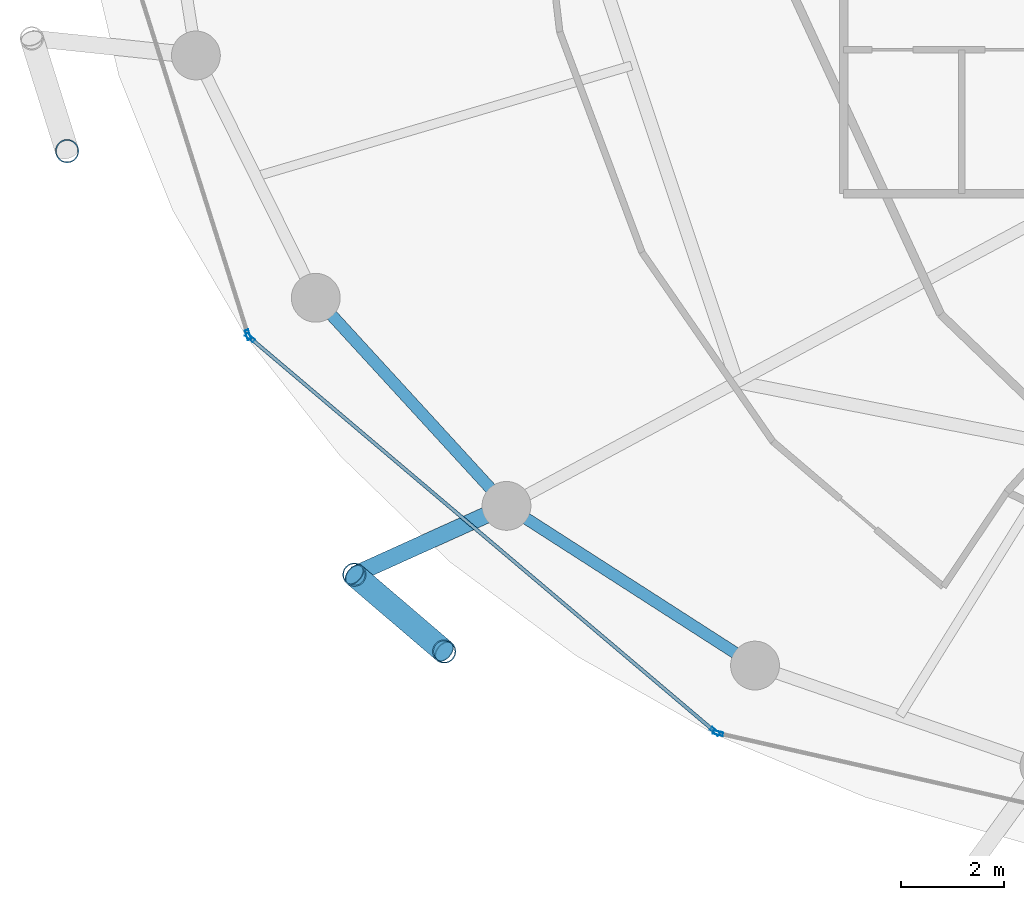
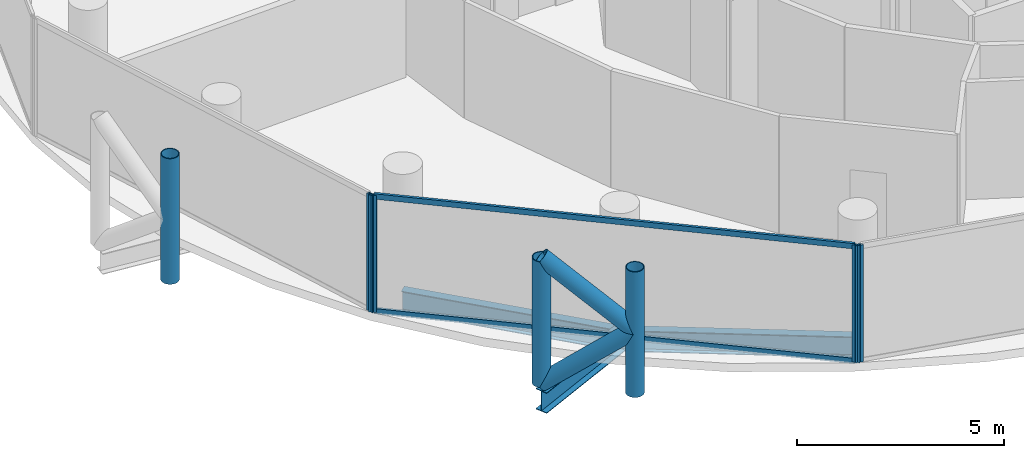
# One storey, part 2 of 26: 11 members, 3 beams, 3 elements without a shape of their own.
"""IFC4 building model written with IfcOpenShell, lengths in metres."""

from ifc_helpers import new_model, si_unit, direction, frame, origin, origin_2d, place, context, subcontext, project, spatial, hollow_rectangle, hollow_circle, i_section, extrude, material, layer, layer_set, material_profile, profile_set, type_object, element, aggregate, save


model = new_model("IFC4")

# Units and contexts
model_context = context("Model", 3, precision=1e-05, world=origin(), true_north=direction((0.0, 1.0)))
body_context = subcontext(model_context, "Body", "Model", "MODEL_VIEW")
ifc_project = project(units=[si_unit("LENGTHUNIT", "METRE"), si_unit("AREAUNIT", "SQUARE_METRE"), si_unit("VOLUMEUNIT", "CUBIC_METRE"), si_unit("PLANEANGLEUNIT", "RADIAN"), si_unit("MASSUNIT", "GRAM", prefix="KILO")], contexts=[model_context])

# Site, building, storey
site_placement = place(None, origin())
site = spatial("IfcSite", under=ifc_project, at=site_placement, CompositionType="ELEMENT")
building_placement = place(site_placement, origin())
building = spatial("IfcBuilding", under=site, at=building_placement, Name="Nuhasar Tower", CompositionType="ELEMENT")
storey_placement = place(building_placement, frame((0.0, 0.0, 133.050048828125)))
storey = spatial("IfcBuildingStorey", under=building, at=storey_placement, Name="L31", CompositionType="ELEMENT", Elevation=133.050048828125)

# Beams
ifc_material_1 = material(Name="Steel S355", Category="steel")
ifc_material_profile_1 = material_profile(ifc_material_1, i_section(OverallWidth=0.22998046875, OverallDepth=0.616943359375, WebThickness=0.01318359375, FlangeThickness=0.022216796875, at=origin_2d()), Name="W24X94")
ifc_profile_set_1 = profile_set([ifc_material_profile_1], Name="Steel S355")
beam_type_1 = type_object("IfcBeamType", Name="BM-RING-W24X94", PredefinedType="SPANDREL", material=ifc_profile_set_1)
beam_1_placement = place(storey_placement, frame((18.778076171875, 17.02490234375, -0.55810546875), z_axis=(0.675676316545, -0.737198423262, 0.0), x_axis=(0.737198423262, 0.675676316545, 0.0)))
element("IfcBeam", 1, at=beam_1_placement, inside=storey, type_object=beam_type_1, Name="L31 Perimeter Ring Spandrel 15", PredefinedType="SPANDREL", context=body_context, shape_type="SweptSolid", body=[
    extrude(i_section(OverallWidth=0.22998046875, OverallDepth=0.616943359375, WebThickness=0.01318359375, FlangeThickness=0.022216796875, at=origin_2d()), origin(), (0.0, 0.0, 1.0), 5.4921875),
])
beam_2_placement = place(storey_placement, frame((22.489013671875, 12.97607421875, -0.55810546875), z_axis=(0.841308170616, -0.540555789955, 0.0), x_axis=(0.540555789955, 0.841308170616, 0.0)))
element("IfcBeam", 2, at=beam_2_placement, inside=storey, type_object=beam_type_1, Name="L31 Perimeter Ring Spandrel 16", PredefinedType="SPANDREL", context=body_context, shape_type="SweptSolid", body=[
    extrude(i_section(OverallWidth=0.22998046875, OverallDepth=0.616943359375, WebThickness=0.01318359375, FlangeThickness=0.022216796875, at=origin_2d()), origin(), (0.0, 0.0, 1.0), 5.748046875),
])
ifc_material_profile_2 = material_profile(ifc_material_1, i_section(OverallWidth=0.323974609375, OverallDepth=0.611083984375, WebThickness=0.0126953125, FlangeThickness=0.01904296875, at=origin_2d()), Name="W24X104")
ifc_profile_set_2 = profile_set([ifc_material_profile_2], Name="Steel S355")
beam_type_2 = type_object("IfcBeamType", Name="BM-TIE-W24X104", PredefinedType="BEAM", material=ifc_profile_set_2)
beam_3_placement = place(storey_placement, frame((22.489013671875, 12.97607421875, -0.554931640625), z_axis=(-0.911211381786, -0.411939094653, 0.0), x_axis=(0.411939094653, -0.911211381786, 0.0)))
element("IfcBeam", 3, at=beam_3_placement, inside=storey, type_object=beam_type_2, Name="L31 Exoskeleton Node Tie Beam 08", PredefinedType="BEAM", context=body_context, shape_type="SweptSolid", body=[
    extrude(i_section(OverallWidth=0.323974609375, OverallDepth=0.611083984375, WebThickness=0.0126953125, FlangeThickness=0.01904296875, at=origin_2d()), origin(), (0.0, 0.0, 1.0), 3.248291015625),
])

# Curtain wall, member
ifc_material_2 = material(Name="Aluminium 6063-T6", Category="aluminium")
ifc_layer = layer(ifc_material_2, 0.199951171875)
ifc_layer_set = layer_set([ifc_layer], Name="Aluminium 6063-T6")
curtain_wall_type = type_object("IfcCurtainWallType", Name="CW-Z2-HTL", PredefinedType="NOTDEFINED", material=ifc_layer_set)
curtain_wall_1_placement = place(storey_placement, origin())
curtain_wall_1 = element("IfcCurtainWall", 4, at=curtain_wall_1_placement, inside=storey, type_object=curtain_wall_type, Name="L31 Unitised Curtain Wall 07", PredefinedType="NOTDEFINED")
ifc_material_profile_3 = material_profile(ifc_material_2, hollow_rectangle(XDim=0.070068359375, YDim=0.199951171875, WallThickness=0.0048828125, at=origin_2d()), Name="CWM-3")
ifc_profile_set_3 = profile_set([ifc_material_profile_3], Name="Aluminium 6063-T6")
member_type_1 = type_object("IfcMemberType", Name="CW-MUL-S3", PredefinedType="MULLION", material=ifc_profile_set_3)
member_1_placement = place(storey_placement, frame((17.46044921875, 16.303466796875, 0.0), z_axis=(0.0, 0.0, 1.0), x_axis=(0.953433389233, 0.301603667577, 0.0)))
member_1 = element("IfcMember", 5, at=member_1_placement, type_object=member_type_1, Name="CW-Z2 mullion 2", PredefinedType="MULLION", context=body_context, shape_type="SweptSolid", body=[
    extrude(hollow_rectangle(XDim=0.070068359375, YDim=0.199951171875, WallThickness=0.0048828125, at=origin_2d()), origin(), (0.0, 0.0, 1.0), 3.449951171875),
])
aggregate(curtain_wall_1, [member_1])

# Curtain wall, members
curtain_wall_2_placement = place(storey_placement, origin())
curtain_wall_2 = element("IfcCurtainWall", 6, at=curtain_wall_2_placement, inside=storey, type_object=curtain_wall_type, Name="L31 Unitised Curtain Wall 08", PredefinedType="NOTDEFINED")
member_2_placement = place(storey_placement, frame((17.497802734375, 16.247314453125, 0.0), z_axis=(0.0, 0.0, 1.0), x_axis=(0.646374438324, 0.763020370292, 0.0)))
member_2 = element("IfcMember", 7, at=member_2_placement, type_object=member_type_1, Name="CW-Z2 mullion 1", PredefinedType="MULLION", context=body_context, shape_type="SweptSolid", body=[
    extrude(hollow_rectangle(XDim=0.070068359375, YDim=0.199951171875, WallThickness=0.0048828125, at=origin_2d()), origin(), (0.0, 0.0, 1.0), 3.449951171875),
])
member_3_placement = place(storey_placement, frame((26.543212890625, 8.584716796875, 0.0), z_axis=(0.0, 0.0, 1.0), x_axis=(0.646374438324, 0.763020370292, 0.0)))
member_3 = element("IfcMember", 8, at=member_3_placement, type_object=member_type_1, Name="CW-Z2 mullion 2", PredefinedType="MULLION", context=body_context, shape_type="SweptSolid", body=[
    extrude(hollow_rectangle(XDim=0.070068359375, YDim=0.199951171875, WallThickness=0.0048828125, at=origin_2d()), origin(), (0.0, 0.0, 1.0), 3.449951171875),
])

# Curtain wall, member
curtain_wall_3_placement = place(storey_placement, origin())
curtain_wall_3 = element("IfcCurtainWall", 9, at=curtain_wall_3_placement, inside=storey, type_object=curtain_wall_type, Name="L31 Unitised Curtain Wall 09", PredefinedType="NOTDEFINED")
member_4_placement = place(storey_placement, frame((26.604248046875, 8.55419921875, 0.0), z_axis=(0.0, 0.0, 1.0), x_axis=(0.22139729566, 0.975183694221, 0.0)))
member_4 = element("IfcMember", 10, at=member_4_placement, type_object=member_type_1, Name="CW-Z2 mullion 1", PredefinedType="MULLION", context=body_context, shape_type="SweptSolid", body=[
    extrude(hollow_rectangle(XDim=0.070068359375, YDim=0.199951171875, WallThickness=0.0048828125, at=origin_2d()), origin(), (0.0, 0.0, 1.0), 3.449951171875),
])
aggregate(curtain_wall_3, [member_4])

# Member
ifc_material_profile_4 = material_profile(ifc_material_2, hollow_rectangle(XDim=0.070068359375, YDim=0.159912109375, WallThickness=0.00439453125, at=origin_2d()), Name="CWT-3")
ifc_profile_set_4 = profile_set([ifc_material_profile_4], Name="Aluminium 6063-T6")
member_type_2 = type_object("IfcMemberType", Name="CW-TRN-S3", PredefinedType="USERDEFINED", material=ifc_profile_set_4)
member_5_placement = place(storey_placement, frame((17.5244140625, 16.224853515625, 0.034912109375), z_axis=(0.763013698099, -0.646382314511, 0.0), x_axis=(0.646382314511, 0.763013698099, 0.0)))
member_5 = element("IfcMember", 11, at=member_5_placement, type_object=member_type_2, Name="CW-Z2 transom 1.1", ObjectType="TRANSOM", PredefinedType="USERDEFINED", context=body_context, shape_type="SweptSolid", body=[
    extrude(hollow_rectangle(XDim=0.070068359375, YDim=0.159912109375, WallThickness=0.00439453125, at=origin_2d()), origin(), (0.0, 0.0, 1.0), 11.78515625),
])

member_6_placement = place(storey_placement, frame((17.5244140625, 16.224853515625, 3.4150390625), z_axis=(0.763013698099, -0.646382314511, 0.0), x_axis=(0.646382314511, 0.763013698099, 0.0)))
member_6 = element("IfcMember", 12, at=member_6_placement, type_object=member_type_2, Name="CW-Z2 transom 1.2", ObjectType="TRANSOM", PredefinedType="USERDEFINED", context=body_context, shape_type="SweptSolid", body=[
    extrude(hollow_rectangle(XDim=0.070068359375, YDim=0.159912109375, WallThickness=0.00439453125, at=origin_2d()), origin(), (0.0, 0.0, 1.0), 11.78515625),
])

aggregate(curtain_wall_2, [member_2, member_3, member_5, member_6])

# Members
ifc_material_3 = material(Name="Steel S460", Category="steel")
ifc_material_profile_5 = material_profile(ifc_material_3, hollow_circle(Radius=0.228515625, WallThickness=0.022216796875, at=origin_2d()), Name="HSS457X22.2")
ifc_profile_set_5 = profile_set([ifc_material_profile_5], Name="Steel S460")
member_type_3 = type_object("IfcMemberType", Name="EXO-BRONZE-457", PredefinedType="BRACE", material=ifc_profile_set_5)
for number, where, z_axis, x_axis, name in (
    (13, (13.93994140625, 19.87890625, 0.0), (0.0, 0.0, 1.0), (1.0, 0.0, 0.0), "L31 Exoskeleton Chord Column EC-07B"),
    (14, (19.529052734375, 11.637939453125, 0.0), (0.0, 0.0, 1.0), (1.0, 0.0, 0.0), "L31 Exoskeleton Chord Column EC-08A"),
    (15, (21.277099609375, 10.14306640625, 0.0), (0.0, 0.0, 1.0), (1.0, 0.0, 0.0), "L31 Exoskeleton Chord Column EC-08B"),
):
    element("IfcMember", number, at=place(storey_placement, frame(where, z_axis=z_axis, x_axis=x_axis)), inside=storey, type_object=member_type_3, Name=name, PredefinedType="BRACE", context=body_context, shape_type="SweptSolid", body=[
        extrude(hollow_circle(Radius=0.228515625, WallThickness=0.022216796875, at=origin_2d()), origin(), (0.0, 0.0, 1.0), 3.699951171875),
    ])
member_7_placement = place(storey_placement, frame((19.529052734375, 11.637939453125, 0.0), z_axis=(0.592225874743, -0.506452378638, 0.626717242029), x_axis=(0.649925557156, 0.7599978751, 0.0)))
element("IfcMember", 16, at=member_7_placement, inside=storey, type_object=member_type_3, Name="L31 Bronze Diagrid Brace W1-08", PredefinedType="BRACE", context=body_context, shape_type="SweptSolid", body=[
    extrude(hollow_circle(Radius=0.228515625, WallThickness=0.022216796875, at=origin_2d()), origin(), (0.0, 0.0, 1.0), 2.95166015625),
])
member_8_placement = place(storey_placement, frame((21.277099609375, 10.14306640625, 1.849853515625), z_axis=(-0.592195175458, 0.506426125604, 0.626767463634), x_axis=(-0.649925557156, -0.7599978751, 0.0)))
element("IfcMember", 17, at=member_8_placement, inside=storey, type_object=member_type_3, Name="L31 Bronze Diagrid Brace W2-08", PredefinedType="BRACE", context=body_context, shape_type="SweptSolid", body=[
    extrude(hollow_circle(Radius=0.228515625, WallThickness=0.022216796875, at=origin_2d()), origin(), (0.0, 0.0, 1.0), 2.951904296875),
])

save(model, "model.ifc")
